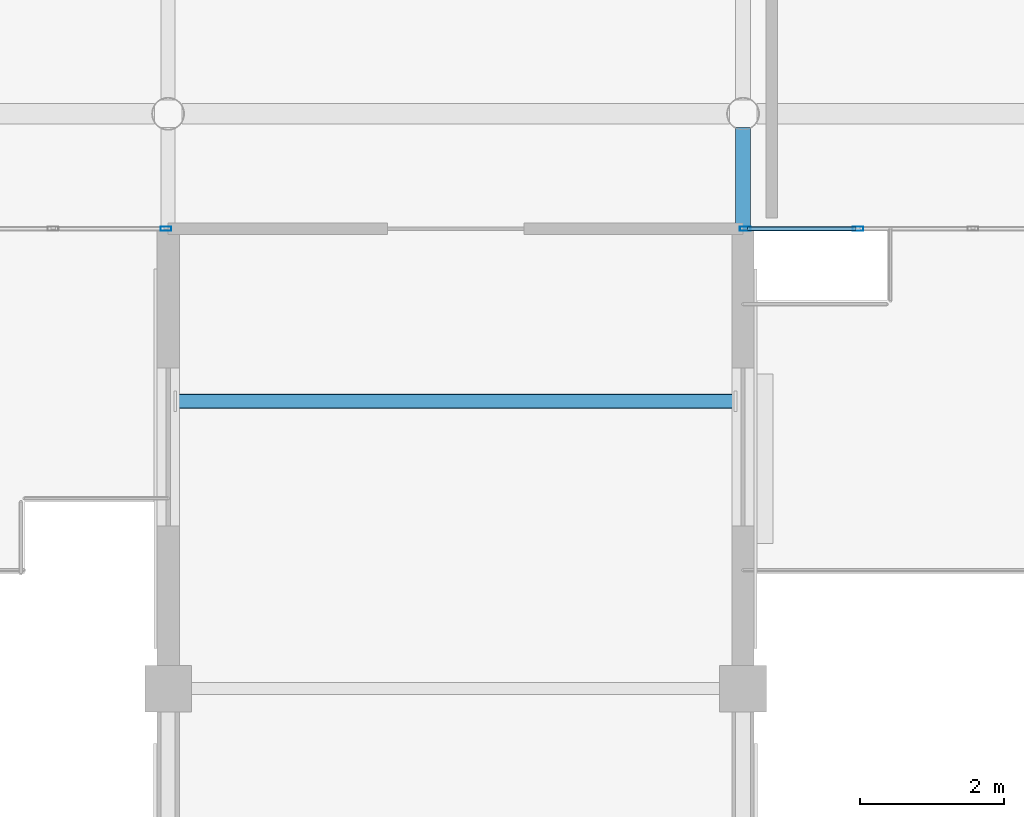
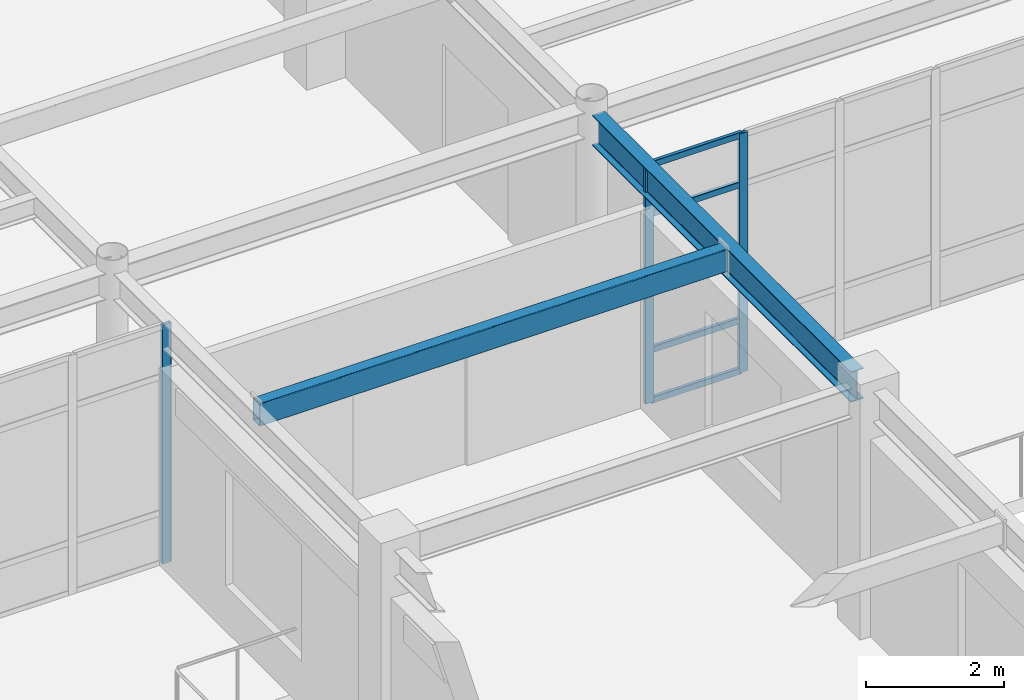
# One storey, part 44 of 93: 7 members, 2 beams, 2 elements without a shape of their own.
"""IFC4 building model written with IfcOpenShell, lengths in metres."""

from ifc_helpers import new_model, si_unit, direction, frame, origin, origin_2d, place, context, subcontext, project, spatial, hollow_rectangle, i_section, extrude, material, material_profile, profile_set, type_object, element, aggregate, save


model = new_model("IFC4")

# Units and contexts
model_context = context("Model", 3, precision=1e-05, world=origin(), true_north=direction((0.0, 1.0)))
body_context = subcontext(model_context, "Body", "Model", "MODEL_VIEW")
ifc_project = project(units=[si_unit("LENGTHUNIT", "METRE"), si_unit("AREAUNIT", "SQUARE_METRE"), si_unit("VOLUMEUNIT", "CUBIC_METRE"), si_unit("PLANEANGLEUNIT", "RADIAN"), si_unit("MASSUNIT", "GRAM", prefix="KILO")], contexts=[model_context])

# Site, building, storey
site_placement = place(None, origin())
site = spatial("IfcSite", under=ifc_project, at=site_placement, CompositionType="ELEMENT")
building_placement = place(site_placement, origin())
building = spatial("IfcBuilding", under=site, at=building_placement, Name="Solmirada Galleria", CompositionType="ELEMENT")
storey_placement = place(building_placement, frame((0.0, 0.0, 14.89990234375)))
storey = spatial("IfcBuildingStorey", under=building, at=storey_placement, Name="L03", CompositionType="ELEMENT", Elevation=14.89990234375)

# Beams
ifc_material_1 = material(Name="Steel S355 / ASTM A992 Grade 50", Category="steel")
ifc_material_profile_1 = material_profile(ifc_material_1, i_section(OverallWidth=0.2099609375, OverallDepth=0.537109375, WebThickness=0.010986328125, FlangeThickness=0.017333984375, FilletRadius=0.014892578125, at=origin_2d()), Name="W21X68")
ifc_profile_set_1 = profile_set([ifc_material_profile_1], Name="Steel S355 / ASTM A992 Grade 50")
beam_type_1 = type_object("IfcBeamType", Name="BM-GIRD-W21B", PredefinedType="BEAM", material=ifc_profile_set_1)
beam_1_placement = place(storey_placement, frame((96.0, 80.324951171875, 3.99169921875), z_axis=(0.0, 1.0, 0.0), x_axis=(-1.0, 0.0, 0.0)))
element("IfcBeam", 1, at=beam_1_placement, inside=storey, type_object=beam_type_1, Name="Primary girder L04 Y(96, 80..88)", PredefinedType="BEAM", context=body_context, shape_type="SweptSolid", body=[
    extrude(i_section(OverallWidth=0.2099609375, OverallDepth=0.537109375, WebThickness=0.010986328125, FlangeThickness=0.017333984375, FilletRadius=0.014892578125, at=origin_2d()), origin(), (0.0, 0.0, 1.0), 7.483154296875),
])
ifc_material_2 = material(Name="Steel S355 / ASTM A500 Grade C", Category="steel")
ifc_material_profile_2 = material_profile(ifc_material_2, hollow_rectangle(XDim=0.202880859375, YDim=0.406005859375, WallThickness=0.01171875, InnerFilletRadius=0.01171875, OuterFilletRadius=0.023681640625, at=origin_2d()), Name="HSS16X8X1/2")
ifc_profile_set_2 = profile_set([ifc_material_profile_2], Name="Steel S355 / ASTM A500 Grade C")
beam_type_2 = type_object("IfcBeamType", Name="BM-JST-W16B", PredefinedType="JOIST", material=ifc_profile_set_2)
beam_2_placement = place(storey_placement, frame((88.096923828125, 84.0, 4.05712890625), z_axis=(1.0, 0.0, 0.0), x_axis=(0.0, 1.0, 0.0)))
element("IfcBeam", 2, at=beam_2_placement, inside=storey, type_object=beam_type_2, Name="Composite floor joist L04 (88..96, 84.0)", PredefinedType="JOIST", context=body_context, shape_type="SweptSolid", body=[
    extrude(hollow_rectangle(XDim=0.202880859375, YDim=0.406005859375, WallThickness=0.01171875, InnerFilletRadius=0.01171875, OuterFilletRadius=0.023681640625, at=origin_2d()), origin(), (0.0, 0.0, 1.0), 7.798095703125),
])

# Curtain wall, member
ifc_material_3 = material(Name="Impact-resistant low-E double glazing", Category="glass")
curtain_wall_type = type_object("IfcCurtainWallType", Name="CW-FZ4-L03-B5-L080", PredefinedType="NOTDEFINED", material=ifc_material_3)
curtain_wall_1_placement = place(storey_placement, origin())
curtain_wall_1 = element("IfcCurtainWall", 3, at=curtain_wall_1_placement, inside=storey, type_object=curtain_wall_type, Name="Terrace and arcade storefront CW-L03-123", PredefinedType="NOTDEFINED")
ifc_material_4 = material(Name="Anodised aluminium framing", Category="aluminium")
ifc_material_profile_3 = material_profile(ifc_material_4, hollow_rectangle(XDim=0.06005859375, YDim=0.14990234375, WallThickness=0.00341796875, InnerFilletRadius=0.00341796875, OuterFilletRadius=0.007080078125, at=origin_2d()), Name="ALU-MULL-150X60")
ifc_profile_set_3 = profile_set([ifc_material_profile_3], Name="Anodised aluminium framing")
member_type_1 = type_object("IfcMemberType", Name="CW-MULL-150", PredefinedType="MULLION", material=ifc_profile_set_3)
member_1_placement = place(storey_placement, frame((87.969970703125, 86.39990234375, 0.0), z_axis=(0.0, 0.0, 1.0), x_axis=(0.0, -1.0, 0.0)))
member_1 = element("IfcMember", 4, at=member_1_placement, type_object=member_type_1, Name="CW28 mullion 1", PredefinedType="MULLION", context=body_context, shape_type="SweptSolid", body=[
    extrude(hollow_rectangle(XDim=0.06005859375, YDim=0.14990234375, WallThickness=0.00341796875, InnerFilletRadius=0.00341796875, OuterFilletRadius=0.007080078125, at=origin_2d()), origin(), (0.0, 0.0, 1.0), 4.22021484375),
])
aggregate(curtain_wall_1, [member_1])

# Curtain wall, members
curtain_wall_2_placement = place(storey_placement, origin())
curtain_wall_2 = element("IfcCurtainWall", 5, at=curtain_wall_2_placement, inside=storey, type_object=curtain_wall_type, Name="Terrace and arcade storefront CW-L03-128", PredefinedType="NOTDEFINED")
member_2_placement = place(storey_placement, frame((97.60009765625, 86.39990234375, 0.0), z_axis=(0.0, 0.0, 1.0), x_axis=(0.0, -1.0, 0.0)))
member_2 = element("IfcMember", 6, at=member_2_placement, type_object=member_type_1, Name="CW28 mullion 5", PredefinedType="MULLION", context=body_context, shape_type="SweptSolid", body=[
    extrude(hollow_rectangle(XDim=0.06005859375, YDim=0.14990234375, WallThickness=0.00341796875, InnerFilletRadius=0.00341796875, OuterFilletRadius=0.007080078125, at=origin_2d()), origin(), (0.0, 0.0, 1.0), 4.22021484375),
])
member_3_placement = place(storey_placement, frame((96.030029296875, 86.39990234375, 0.0), z_axis=(0.0, 0.0, 1.0), x_axis=(0.0, -1.0, 0.0)))
member_3 = element("IfcMember", 7, at=member_3_placement, type_object=member_type_1, Name="CW28 mullion 6", PredefinedType="MULLION", context=body_context, shape_type="SweptSolid", body=[
    extrude(hollow_rectangle(XDim=0.06005859375, YDim=0.14990234375, WallThickness=0.00341796875, InnerFilletRadius=0.00341796875, OuterFilletRadius=0.007080078125, at=origin_2d()), origin(), (0.0, 0.0, 1.0), 4.22021484375),
])
ifc_material_profile_4 = material_profile(ifc_material_4, hollow_rectangle(XDim=0.06005859375, YDim=0.110107421875, WallThickness=0.003173828125, InnerFilletRadius=0.003173828125, OuterFilletRadius=0.00634765625, at=origin_2d()), Name="ALU-TRAN-110X60")
ifc_profile_set_4 = profile_set([ifc_material_profile_4], Name="Anodised aluminium framing")
member_type_2 = type_object("IfcMemberType", Name="CW-TRAN-110", PredefinedType="USERDEFINED", material=ifc_profile_set_4)
member_4_placement = place(storey_placement, frame((97.570068359375, 86.39990234375, 0.030029296875), z_axis=(-1.0, 0.0, 0.0), x_axis=(0.0, -1.0, 0.0)))
member_4 = element("IfcMember", 8, at=member_4_placement, type_object=member_type_2, Name="CW28 transom 5.1", ObjectType="TRANSOM", PredefinedType="USERDEFINED", context=body_context, shape_type="SweptSolid", body=[
    extrude(hollow_rectangle(XDim=0.06005859375, YDim=0.110107421875, WallThickness=0.003173828125, InnerFilletRadius=0.003173828125, OuterFilletRadius=0.00634765625, at=origin_2d()), origin(), (0.0, 0.0, 1.0), 1.510009765625),
])
member_5_placement = place(storey_placement, frame((97.570068359375, 86.39990234375, 0.920166015625), z_axis=(-1.0, 0.0, 0.0), x_axis=(0.0, -1.0, 0.0)))
member_5 = element("IfcMember", 9, at=member_5_placement, type_object=member_type_2, Name="CW28 transom 5.2", ObjectType="TRANSOM", PredefinedType="USERDEFINED", context=body_context, shape_type="SweptSolid", body=[
    extrude(hollow_rectangle(XDim=0.06005859375, YDim=0.110107421875, WallThickness=0.003173828125, InnerFilletRadius=0.003173828125, OuterFilletRadius=0.00634765625, at=origin_2d()), origin(), (0.0, 0.0, 1.0), 1.510009765625),
])
member_6_placement = place(storey_placement, frame((97.570068359375, 86.39990234375, 3.320068359375), z_axis=(-1.0, 0.0, 0.0), x_axis=(0.0, -1.0, 0.0)))
member_6 = element("IfcMember", 10, at=member_6_placement, type_object=member_type_2, Name="CW28 transom 5.3", ObjectType="TRANSOM", PredefinedType="USERDEFINED", context=body_context, shape_type="SweptSolid", body=[
    extrude(hollow_rectangle(XDim=0.06005859375, YDim=0.110107421875, WallThickness=0.003173828125, InnerFilletRadius=0.003173828125, OuterFilletRadius=0.00634765625, at=origin_2d()), origin(), (0.0, 0.0, 1.0), 1.510009765625),
])
member_7_placement = place(storey_placement, frame((97.570068359375, 86.39990234375, 4.190185546875), z_axis=(-1.0, 0.0, 0.0), x_axis=(0.0, -1.0, 0.0)))
member_7 = element("IfcMember", 11, at=member_7_placement, type_object=member_type_2, Name="CW28 transom 5.4", ObjectType="TRANSOM", PredefinedType="USERDEFINED", context=body_context, shape_type="SweptSolid", body=[
    extrude(hollow_rectangle(XDim=0.06005859375, YDim=0.110107421875, WallThickness=0.003173828125, InnerFilletRadius=0.003173828125, OuterFilletRadius=0.00634765625, at=origin_2d()), origin(), (0.0, 0.0, 1.0), 1.510009765625),
])
aggregate(curtain_wall_2, [member_2, member_3, member_4, member_5, member_6, member_7])

save(model, "model.ifc")
